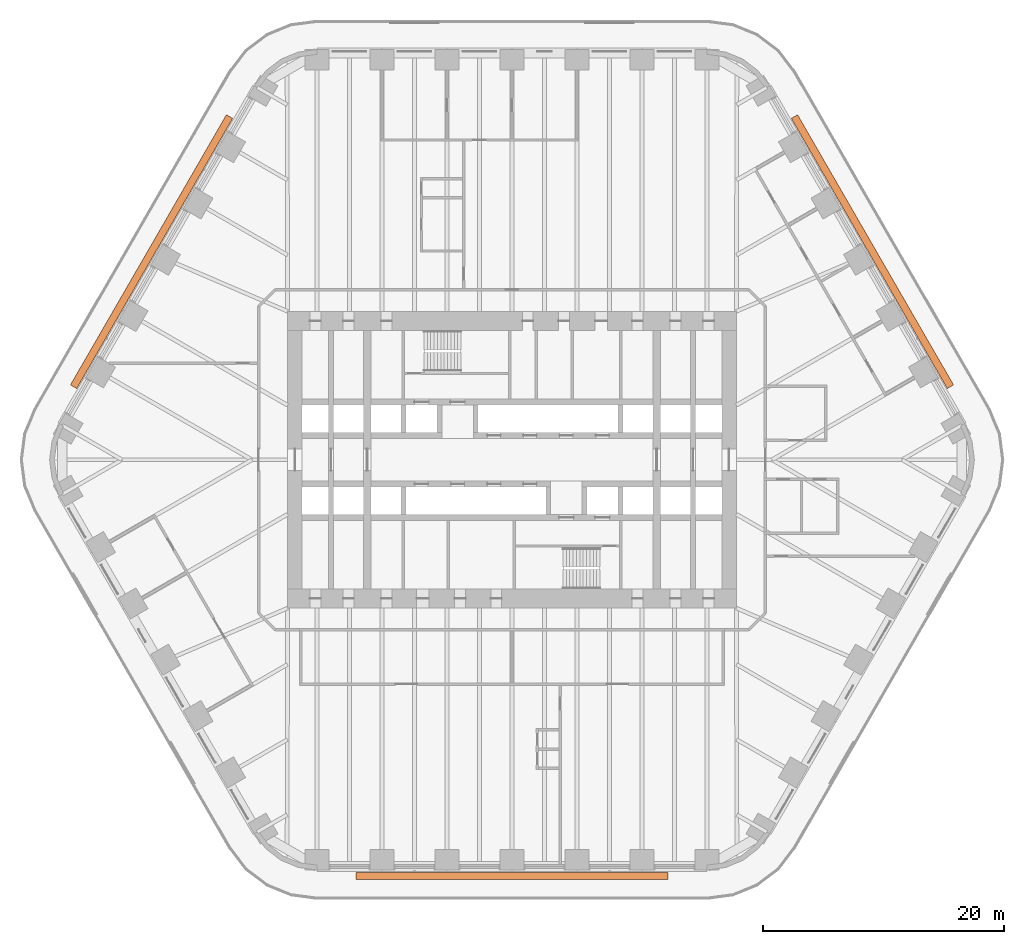
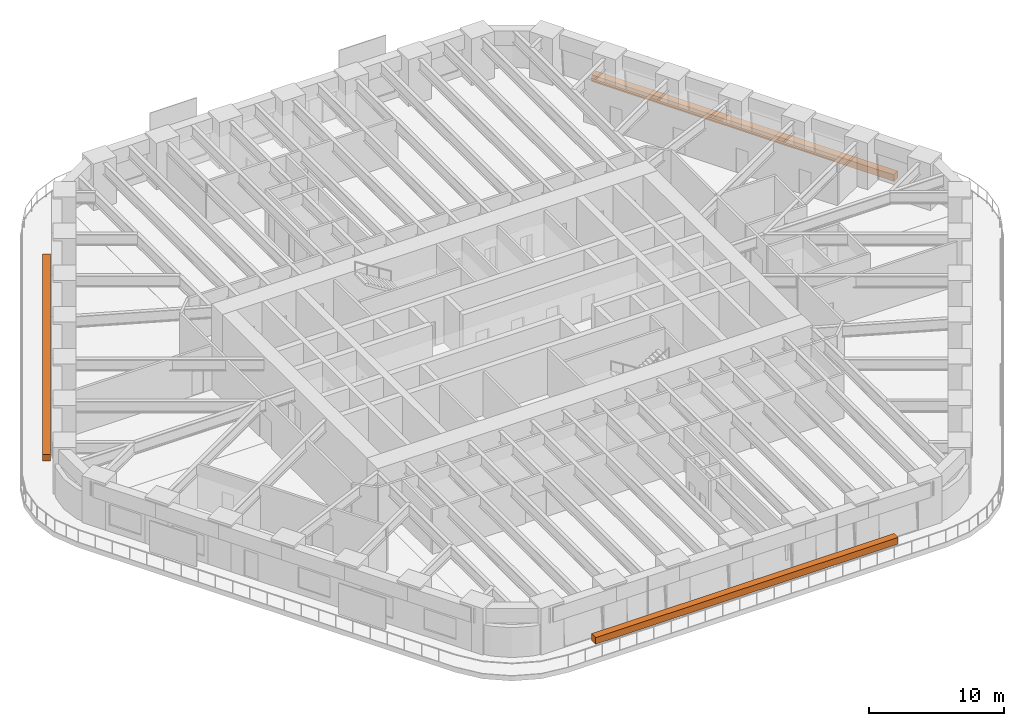
# One storey, part 24 of 24: 3 proxies.
"""IFC4 building model written with IfcOpenShell, lengths in metres."""

from ifc_helpers import new_model, si_unit, direction, frame, origin, origin_2d, place, context, subcontext, project, spatial, rectangle, extrude, material, element, save


model = new_model("IFC4")

# Units and contexts
model_context = context("Model", 3, precision=1e-05, world=origin(), true_north=direction((0.0, 1.0)))
body_context = subcontext(model_context, "Body", "Model", "MODEL_VIEW")
ifc_project = project(units=[si_unit("LENGTHUNIT", "METRE"), si_unit("AREAUNIT", "SQUARE_METRE"), si_unit("VOLUMEUNIT", "CUBIC_METRE"), si_unit("PLANEANGLEUNIT", "RADIAN"), si_unit("MASSUNIT", "GRAM", prefix="KILO")], contexts=[model_context])

# Site, building, storey
site_placement = place(None, origin())
site = spatial("IfcSite", under=ifc_project, at=site_placement, CompositionType="ELEMENT")
building_placement = place(site_placement, origin())
building = spatial("IfcBuilding", under=site, at=building_placement, Name="Tarfa Lantern Tower", CompositionType="ELEMENT")
storey_placement = place(building_placement, frame((0.0, 0.0, 73.89990234375)))
storey = spatial("IfcBuildingStorey", under=building, at=storey_placement, Name="L16", CompositionType="ELEMENT", Elevation=73.89990234375)

# Proxies
ifc_material = material(Name="Planting bed")
for number, where, z_axis, x_axis, name in (
    (1, (29.8779296875, 17.25, 0.0), (0.0, 0.0, 1.0), (-0.5, 0.866025403784, 0.0), "Balcony planter"),
    (2, (-29.8779296875, 17.25, 0.0), (0.0, 0.0, 1.0), (-0.5, -0.866025403784, 0.0), "Balcony planter"),
    (3, (0.0, -34.5, 0.0), (0.0, 0.0, 1.0), (1.0, 0.0, 0.0), "Balcony planter"),
):
    element("IfcBuildingElementProxy", number, at=place(storey_placement, frame(where, z_axis=z_axis, x_axis=x_axis)), inside=storey, material=ifc_material, Name=name, ObjectType="PLANTER", PredefinedType="USERDEFINED", context=body_context, shape_type="SweptSolid", body=[
        extrude(rectangle(XDim=25.865234375, YDim=0.60009765625, at=origin_2d()), origin(), (0.0, 0.0, 1.0), 0.60009765625),
    ])

save(model, "model.ifc")
